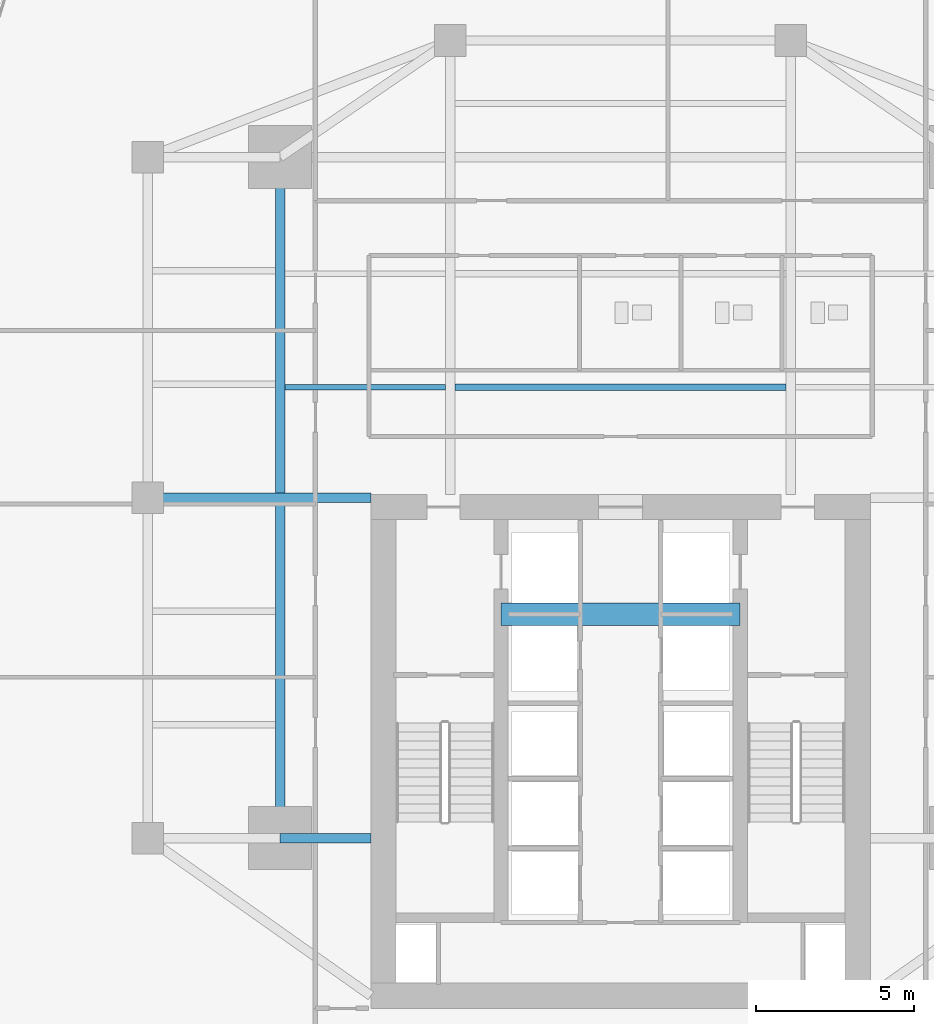
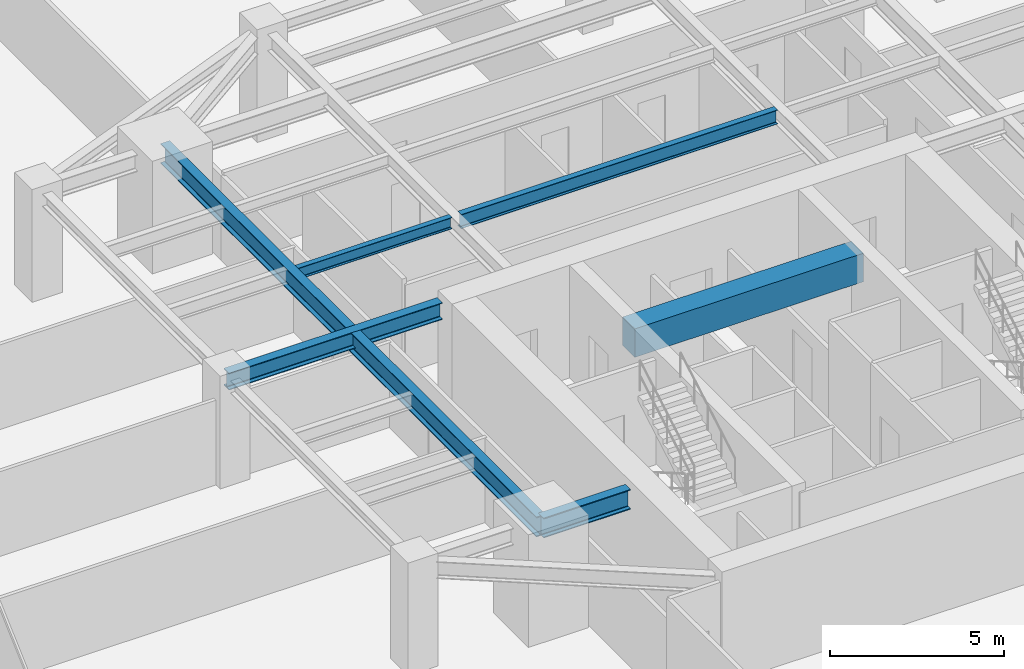
# One storey, part 8 of 26: 6 beams.
"""IFC4 building model written with IfcOpenShell, lengths in metres."""

from ifc_helpers import new_model, si_unit, direction, frame, origin, origin_2d, place, context, subcontext, project, spatial, rectangle, i_section, extrude, source, transform, mapped, material, material_profile, profile_set, type_object, type_shapes, element, save


model = new_model("IFC4")

# Units and contexts
model_context = context("Model", 3, precision=1e-05, world=origin(), true_north=direction((0.0, 1.0)))
body_context = subcontext(model_context, "Body", "Model", "MODEL_VIEW")
ifc_project = project(units=[si_unit("LENGTHUNIT", "METRE"), si_unit("AREAUNIT", "SQUARE_METRE"), si_unit("VOLUMEUNIT", "CUBIC_METRE"), si_unit("PLANEANGLEUNIT", "RADIAN"), si_unit("MASSUNIT", "GRAM", prefix="KILO")], contexts=[model_context])

# Site, building, storey
site_placement = place(None, origin())
site = spatial("IfcSite", under=ifc_project, at=site_placement, CompositionType="ELEMENT")
building_placement = place(site_placement, origin())
building = spatial("IfcBuilding", under=site, at=building_placement, Name="Krantzveldt Concourse Tower", CompositionType="ELEMENT")
storey_placement = place(building_placement, frame((0.0, 0.0, 113.75)))
storey = spatial("IfcBuildingStorey", under=building, at=storey_placement, Name="L27", CompositionType="ELEMENT", Elevation=113.75)

# Beams
ifc_material_1 = material(Name="Steel S355J2", Category="steel")
ifc_material_profile_1 = material_profile(ifc_material_1, i_section(OverallWidth=0.300048828125, OverallDepth=0.699951171875, WebThickness=0.01708984375, FlangeThickness=0.031982421875, FilletRadius=0.027099609375, at=origin_2d()), Name="Steel S355J2", Category="steel")
ifc_profile_set_1 = profile_set([ifc_material_profile_1], Name="Steel S355J2 - HEB 700")
beam_type_1 = type_object("IfcBeamType", Name="BM-B-HEB700", PredefinedType="BEAM", material=ifc_profile_set_1)
shared_shape_1 = source(origin(), body_context, "Body", "SweptSolid", [
    extrude(i_section(OverallWidth=0.300048828125, OverallDepth=0.699951171875, WebThickness=0.01708984375, FlangeThickness=0.031982421875, FilletRadius=0.027099609375, at=origin_2d()), origin(), (0.0, 0.0, 1.0), 2.880126953125),
])
beam_1_placement = place(storey_placement, frame((25.199951171875, 15.89990234375, 3.320068359375), z_axis=(1.0, 0.0, 0.0), x_axis=(0.0, 1.0, 0.0)))
element("IfcBeam", 1, at=beam_1_placement, inside=storey, type_object=beam_type_1, Name="L27 Tower Girder BG-CW1", PredefinedType="BEAM", context=body_context, shape_type="MappedRepresentation", body=[
    mapped(shared_shape_1, transform((0.0, 0.0, 0.0), x_axis=(1.0, 0.0, 0.0), y_axis=(0.0, 1.0, 0.0), z_axis=(0.0, 0.0, 1.0), scale=1.0)),
])
shared_shape_2 = source(origin(), body_context, "Body", "SweptSolid", [
    extrude(i_section(OverallWidth=0.300048828125, OverallDepth=0.699951171875, WebThickness=0.01708984375, FlangeThickness=0.031982421875, FilletRadius=0.027099609375, at=origin_2d()), origin(), (0.0, 0.0, 1.0), 21.60009765625),
])
type_shapes(beam_type_1, [shared_shape_1, shared_shape_2])
beam_2_placement = place(storey_placement, frame((25.199951171875, 15.89990234375, 3.320068359375), z_axis=(0.0, 1.0, 0.0), x_axis=(-1.0, 0.0, 0.0)))
element("IfcBeam", 2, at=beam_2_placement, inside=storey, type_object=beam_type_1, Name="L27 Tower Girder BG-MW", PredefinedType="BEAM", context=body_context, shape_type="MappedRepresentation", body=[
    mapped(shared_shape_2, transform((0.0, 0.0, 0.0), x_axis=(1.0, 0.0, 0.0), y_axis=(0.0, 1.0, 0.0), z_axis=(0.0, 0.0, 1.0), scale=1.0)),
])
ifc_material_2 = material(Name="Steel S355JR", Category="steel")
ifc_material_profile_2 = material_profile(ifc_material_2, i_section(OverallWidth=0.300048828125, OverallDepth=0.590087890625, WebThickness=0.012939453125, FlangeThickness=0.02490234375, FilletRadius=0.027099609375, at=origin_2d()), Name="Steel S355JR", Category="steel")
ifc_profile_set_2 = profile_set([ifc_material_profile_2], Name="Steel S355JR - HEA 600")
beam_type_2 = type_object("IfcBeamType", Name="BM-B-HEA600", PredefinedType="BEAM", material=ifc_profile_set_2)
shared_shape_3 = source(origin(), body_context, "Body", "SweptSolid", [
    extrude(i_section(OverallWidth=0.300048828125, OverallDepth=0.590087890625, WebThickness=0.012939453125, FlangeThickness=0.02490234375, FilletRadius=0.027099609375, at=origin_2d()), origin(), (0.0, 0.0, 1.0), 7.080078125),
])
type_shapes(beam_type_2, [shared_shape_3])
beam_3_placement = place(storey_placement, frame((21.0, 26.699951171875, 3.375), z_axis=(1.0, 0.0, 0.0), x_axis=(0.0, 1.0, 0.0)))
element("IfcBeam", 3, at=beam_3_placement, inside=storey, type_object=beam_type_2, Name="L27 Tower Girder BG-CW2", PredefinedType="BEAM", context=body_context, shape_type="MappedRepresentation", body=[
    mapped(shared_shape_3, transform((0.0, 0.0, 0.0), x_axis=(1.0, 0.0, 0.0), y_axis=(0.0, 1.0, 0.0), z_axis=(0.0, 0.0, 1.0), scale=1.0)),
])
ifc_material_profile_3 = material_profile(ifc_material_2, i_section(OverallWidth=0.199951171875, OverallDepth=0.5, WebThickness=0.01025390625, FlangeThickness=0.01611328125, FilletRadius=0.02099609375, at=origin_2d()), Name="Steel S355JR", Category="steel")
ifc_profile_set_3 = profile_set([ifc_material_profile_3], Name="Steel S355JR - IPE 500")
beam_type_3 = type_object("IfcBeamType", Name="BM-J-IPE500", PredefinedType="JOIST", material=ifc_profile_set_3)
shared_shape_4 = source(origin(), body_context, "Body", "SweptSolid", [
    extrude(i_section(OverallWidth=0.199951171875, OverallDepth=0.5, WebThickness=0.01025390625, FlangeThickness=0.01611328125, FilletRadius=0.02099609375, at=origin_2d()), origin(), (0.0, 0.0, 1.0), 10.5),
])
type_shapes(beam_type_3, [shared_shape_4])
beam_4_placement = place(storey_placement, frame((30.75, 30.199951171875, 3.419921875), z_axis=(1.0, 0.0, 0.0), x_axis=(0.0, 1.0, 0.0)))
element("IfcBeam", 4, at=beam_4_placement, inside=storey, type_object=beam_type_3, Name="L27 Secondary Floor Joist JN-C1", PredefinedType="JOIST", context=body_context, shape_type="MappedRepresentation", body=[
    mapped(shared_shape_4, transform((0.0, 0.0, 0.0), x_axis=(1.0, 0.0, 0.0), y_axis=(0.0, 1.0, 0.0), z_axis=(0.0, 0.0, 1.0), scale=1.0)),
])
ifc_material_profile_4 = material_profile(ifc_material_2, i_section(OverallWidth=0.179931640625, OverallDepth=0.39990234375, WebThickness=0.008544921875, FlangeThickness=0.013427734375, FilletRadius=0.02099609375, at=origin_2d()), Name="Steel S355JR", Category="steel")
ifc_profile_set_4 = profile_set([ifc_material_profile_4], Name="Steel S355JR - IPE 400")
beam_type_4 = type_object("IfcBeamType", Name="BM-J-IPE400", PredefinedType="JOIST", material=ifc_profile_set_4)
shared_shape_5 = source(origin(), body_context, "Body", "SweptSolid", [
    extrude(i_section(OverallWidth=0.179931640625, OverallDepth=0.39990234375, WebThickness=0.008544921875, FlangeThickness=0.013427734375, FilletRadius=0.02099609375, at=origin_2d()), origin(), (0.0, 0.0, 1.0), 5.099853515625),
])
type_shapes(beam_type_4, [shared_shape_5])
beam_5_placement = place(storey_placement, frame((25.35009765625, 30.199951171875, 3.469970703125), z_axis=(1.0, 0.0, 0.0), x_axis=(0.0, 1.0, 0.0)))
element("IfcBeam", 5, at=beam_5_placement, inside=storey, type_object=beam_type_4, Name="L27 Secondary Floor Joist JN-W1", PredefinedType="JOIST", context=body_context, shape_type="MappedRepresentation", body=[
    mapped(shared_shape_5, transform((0.0, 0.0, 0.0), x_axis=(1.0, 0.0, 0.0), y_axis=(0.0, 1.0, 0.0), z_axis=(0.0, 0.0, 1.0), scale=1.0)),
])
ifc_material_3 = material(Name="Concrete C50/60", Category="concrete")
ifc_material_profile_5 = material_profile(ifc_material_3, rectangle(XDim=0.699951171875, YDim=1.0, at=origin_2d()), Name="Concrete C50/60", Category="concrete")
ifc_profile_set_5 = profile_set([ifc_material_profile_5], Name="Concrete C50/60 - RC-CB 700x1000")
beam_type_5 = type_object("IfcBeamType", Name="BM-CB-1000", PredefinedType="LINTEL", material=ifc_profile_set_5)
shared_shape_6 = source(origin(), body_context, "Body", "SweptSolid", [
    extrude(rectangle(XDim=0.699951171875, YDim=1.0, at=origin_2d()), origin(), (0.0, 0.0, 1.0), 7.580078125),
])
type_shapes(beam_type_5, [shared_shape_6])
beam_6_placement = place(storey_placement, frame((32.2099609375, 23.0, 3.169921875), z_axis=(1.0, 0.0, 0.0), x_axis=(0.0, 1.0, 0.0)))
element("IfcBeam", 6, at=beam_6_placement, inside=storey, type_object=beam_type_5, Name="CB-L27-01", PredefinedType="LINTEL", context=body_context, shape_type="MappedRepresentation", body=[
    mapped(shared_shape_6, transform((0.0, 0.0, 0.0), x_axis=(1.0, 0.0, 0.0), y_axis=(0.0, 1.0, 0.0), z_axis=(0.0, 0.0, 1.0), scale=1.0)),
])

save(model, "model.ifc")
